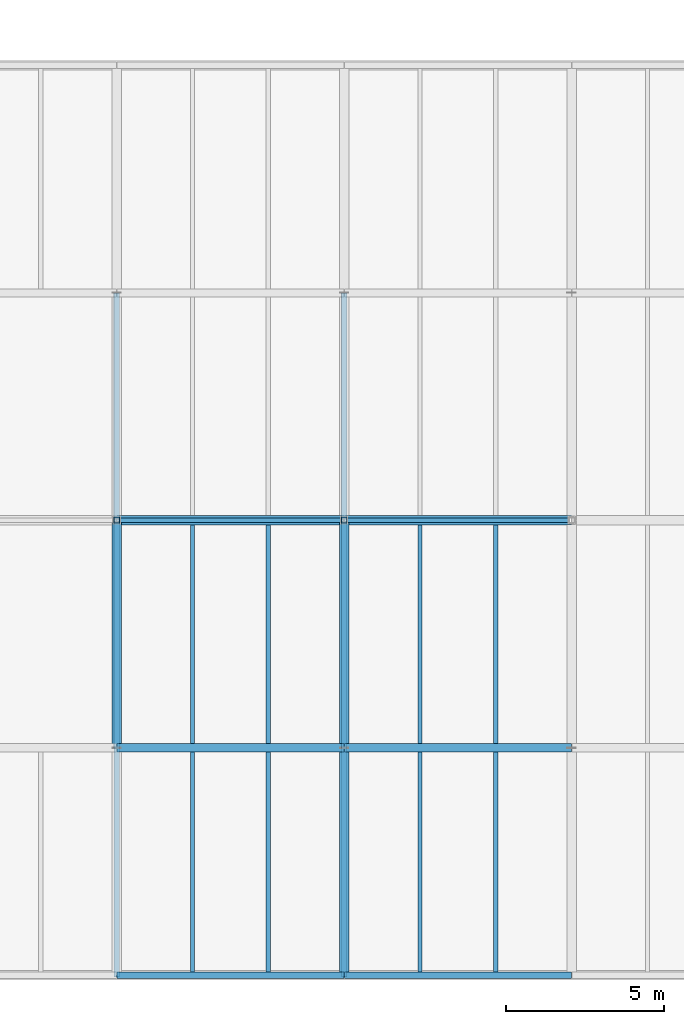
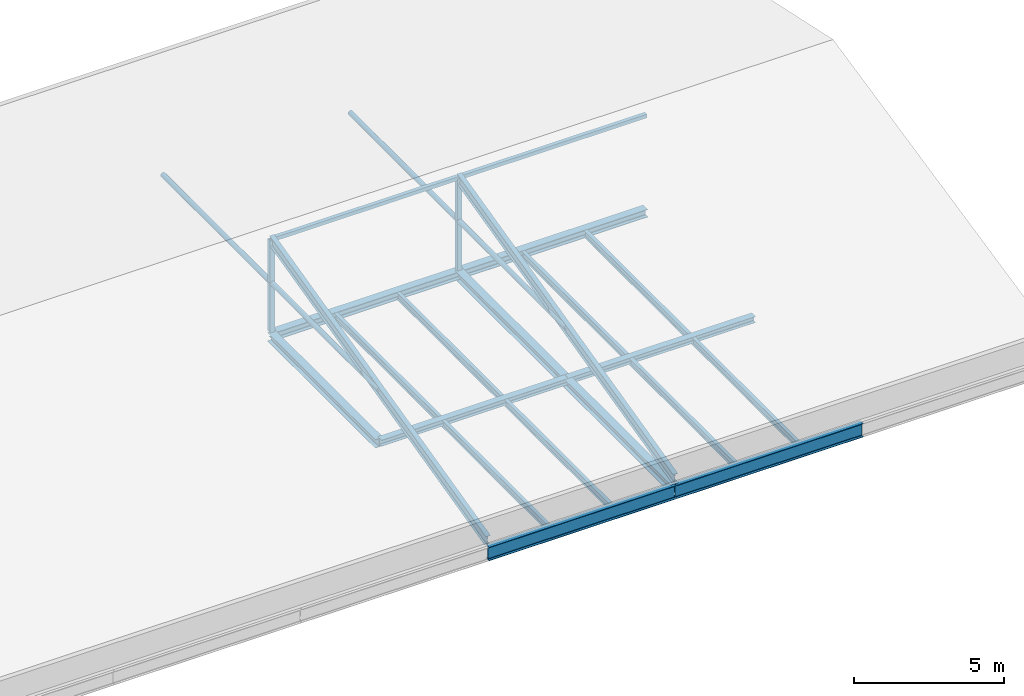
# One storey, part 18 of 66: 17 beams, 8 members.
"""IFC4 building model written with IfcOpenShell, lengths in metres."""

from ifc_helpers import new_model, si_unit, direction, frame, origin, origin_2d, place, context, subcontext, project, spatial, hollow_rectangle, hollow_circle, i_section, extrude, material, material_profile, profile_set, type_object, element, save


model = new_model("IFC4")

# Units and contexts
model_context = context("Model", 3, precision=1e-05, world=origin(), true_north=direction((0.0, 1.0)))
body_context = subcontext(model_context, "Body", "Model", "MODEL_VIEW")
ifc_project = project(units=[si_unit("LENGTHUNIT", "METRE"), si_unit("AREAUNIT", "SQUARE_METRE"), si_unit("VOLUMEUNIT", "CUBIC_METRE"), si_unit("PLANEANGLEUNIT", "RADIAN"), si_unit("MASSUNIT", "GRAM", prefix="KILO")], contexts=[model_context])

# Site, building, storey
site_placement = place(None, origin())
site = spatial("IfcSite", under=ifc_project, at=site_placement, CompositionType="ELEMENT")
building_placement = place(site_placement, origin())
building = spatial("IfcBuilding", under=site, at=building_placement, Name="Narikvali Park Central Library", CompositionType="ELEMENT")
storey_placement = place(building_placement, frame((0.0, 0.0, 18.60009765625)))
storey = spatial("IfcBuildingStorey", under=building, at=storey_placement, Name="L04", CompositionType="ELEMENT", Elevation=18.60009765625)

# Members
ifc_material = material(Name="Steel S355", Category="steel")
ifc_material_profile_1 = material_profile(ifc_material, hollow_rectangle(XDim=0.179931640625, YDim=0.179931640625, WallThickness=0.010009765625, at=origin_2d()), Name="SHS 180x180x10")
ifc_profile_set_1 = profile_set([ifc_material_profile_1], Name="Steel S355")
member_type_1 = type_object("IfcMemberType", Name="Auditorium Truss Vertical SHS180", PredefinedType="COLLAR", material=ifc_profile_set_1)
for number, where, z_axis, x_axis, name in (
    (1, (144.0, 14.39990234375, -0.239990234375), (0.0, 0.0, 1.0), (1.0, 0.0, 0.0), "V6 Roof Truss King Strut 3"),
    (2, (151.199951171875, 14.39990234375, -0.239990234375), (0.0, 0.0, 1.0), (1.0, 0.0, 0.0), "V6 Roof Truss King Strut 4"),
):
    element("IfcMember", number, at=place(storey_placement, frame(where, z_axis=z_axis, x_axis=x_axis)), inside=storey, type_object=member_type_1, Name=name, PredefinedType="COLLAR", context=body_context, shape_type="SweptSolid", body=[
        extrude(hollow_rectangle(XDim=0.179931640625, YDim=0.179931640625, WallThickness=0.010009765625, at=origin_2d()), origin(), (0.0, 0.0, 1.0), 3.739990234375),
    ])

# Beams
ifc_material_profile_2 = material_profile(ifc_material, i_section(OverallWidth=0.135009765625, OverallDepth=0.27001953125, WebThickness=0.006591796875, FlangeThickness=0.01025390625, FilletRadius=0.014892578125, at=origin_2d()), Name="IPE 270")
ifc_profile_set_2 = profile_set([ifc_material_profile_2], Name="Steel S355")
beam_type_1 = type_object("IfcBeamType", Name="Composite Floor Joist IPE270", PredefinedType="JOIST", material=ifc_profile_set_2)
for number, where, z_axis, x_axis, name in (
    (3, (146.39990234375, 0.10498046875, -0.375), (0.0, 1.0, 0.0), (-1.0, 0.0, 0.0), "V6 L04 Composite Joist 1"),
    (4, (148.800048828125, 0.10498046875, -0.375), (0.0, 1.0, 0.0), (-1.0, 0.0, 0.0), "V6 L04 Composite Joist 2"),
):
    element("IfcBeam", number, at=place(storey_placement, frame(where, z_axis=z_axis, x_axis=x_axis)), inside=storey, type_object=beam_type_1, Name=name, PredefinedType="JOIST", context=body_context, shape_type="SweptSolid", body=[
        extrude(i_section(OverallWidth=0.135009765625, OverallDepth=0.27001953125, WebThickness=0.006591796875, FlangeThickness=0.01025390625, FilletRadius=0.014892578125, at=origin_2d()), origin(), (0.0, 0.0, 1.0), 6.965087890625),
    ])
for number, where, z_axis, x_axis, name in (
    (5, (146.39990234375, 7.330078125, -0.375), (0.0, 1.0, 0.0), (-1.0, 0.0, 0.0), "V6 L04 Composite Joist 1"),
    (6, (148.800048828125, 7.330078125, -0.375), (0.0, 1.0, 0.0), (-1.0, 0.0, 0.0), "V6 L04 Composite Joist 2"),
):
    element("IfcBeam", number, at=place(storey_placement, frame(where, z_axis=z_axis, x_axis=x_axis)), inside=storey, type_object=beam_type_1, Name=name, PredefinedType="JOIST", context=body_context, shape_type="SweptSolid", body=[
        extrude(i_section(OverallWidth=0.135009765625, OverallDepth=0.27001953125, WebThickness=0.006591796875, FlangeThickness=0.01025390625, FilletRadius=0.014892578125, at=origin_2d()), origin(), (0.0, 0.0, 1.0), 6.919921875),
    ])
for number, where, z_axis, x_axis, name in (
    (7, (153.60009765625, 0.10498046875, -0.375), (0.0, 1.0, 0.0), (-1.0, 0.0, 0.0), "V6 L04 Composite Joist 1"),
    (8, (156.0, 0.10498046875, -0.375), (0.0, 1.0, 0.0), (-1.0, 0.0, 0.0), "V6 L04 Composite Joist 2"),
):
    element("IfcBeam", number, at=place(storey_placement, frame(where, z_axis=z_axis, x_axis=x_axis)), inside=storey, type_object=beam_type_1, Name=name, PredefinedType="JOIST", context=body_context, shape_type="SweptSolid", body=[
        extrude(i_section(OverallWidth=0.135009765625, OverallDepth=0.27001953125, WebThickness=0.006591796875, FlangeThickness=0.01025390625, FilletRadius=0.014892578125, at=origin_2d()), origin(), (0.0, 0.0, 1.0), 6.965087890625),
    ])
for number, where, z_axis, x_axis, name in (
    (9, (153.60009765625, 7.330078125, -0.375), (0.0, 1.0, 0.0), (-1.0, 0.0, 0.0), "V6 L04 Composite Joist 1"),
    (10, (156.0, 7.330078125, -0.375), (0.0, 1.0, 0.0), (-1.0, 0.0, 0.0), "V6 L04 Composite Joist 2"),
):
    element("IfcBeam", number, at=place(storey_placement, frame(where, z_axis=z_axis, x_axis=x_axis)), inside=storey, type_object=beam_type_1, Name=name, PredefinedType="JOIST", context=body_context, shape_type="SweptSolid", body=[
        extrude(i_section(OverallWidth=0.135009765625, OverallDepth=0.27001953125, WebThickness=0.006591796875, FlangeThickness=0.01025390625, FilletRadius=0.014892578125, at=origin_2d()), origin(), (0.0, 0.0, 1.0), 6.919921875),
    ])

# Members
ifc_material_profile_3 = material_profile(ifc_material, i_section(OverallWidth=0.179931640625, OverallDepth=0.39990234375, WebThickness=0.008544921875, FlangeThickness=0.013427734375, FilletRadius=0.02099609375, at=origin_2d()), Name="IPE 400")
ifc_profile_set_3 = profile_set([ifc_material_profile_3], Name="Steel S355")
member_type_2 = type_object("IfcMemberType", Name="Long-Span Pavilion Rafter IPE400", PredefinedType="RAFTER", material=ifc_profile_set_3)
for number, where, z_axis, x_axis, name in (
    (11, (144.0, 0.0, 0.0), (0.0, 0.971709104345, 0.236180897899), (-1.0, 0.0, 0.0), "V6 Roof Rafter S 3"),
    (12, (151.199951171875, 0.0, 0.0), (0.0, 0.971709104345, 0.236180897899), (-1.0, 0.0, 0.0), "V6 Roof Rafter S 4"),
):
    element("IfcMember", number, at=place(storey_placement, frame(where, z_axis=z_axis, x_axis=x_axis)), inside=storey, type_object=member_type_2, Name=name, PredefinedType="RAFTER", context=body_context, shape_type="SweptSolid", body=[
        extrude(i_section(OverallWidth=0.179931640625, OverallDepth=0.39990234375, WebThickness=0.008544921875, FlangeThickness=0.013427734375, FilletRadius=0.02099609375, at=origin_2d()), origin(), (0.0, 0.0, 1.0), 14.819091796875),
    ])
ifc_material_profile_4 = material_profile(ifc_material, hollow_circle(Radius=0.096923828125, WallThickness=0.010009765625, at=origin_2d()), Name="CHS 193.7x10")
ifc_profile_set_4 = profile_set([ifc_material_profile_4], Name="Steel S355")
member_type_3 = type_object("IfcMemberType", Name="Pavilion Roof Collar Tie CHS193", PredefinedType="COLLAR", material=ifc_profile_set_4)
for number, where, z_axis, x_axis, name in (
    (13, (144.0, 7.199951171875, 1.75), (0.0, 1.0, 0.0), (-1.0, 0.0, 0.0), "V6 Roof Collar Tie 3"),
    (14, (151.199951171875, 7.199951171875, 1.75), (0.0, 1.0, 0.0), (-1.0, 0.0, 0.0), "V6 Roof Collar Tie 4"),
):
    element("IfcMember", number, at=place(storey_placement, frame(where, z_axis=z_axis, x_axis=x_axis)), inside=storey, type_object=member_type_3, Name=name, PredefinedType="COLLAR", context=body_context, shape_type="SweptSolid", body=[
        extrude(hollow_circle(Radius=0.096923828125, WallThickness=0.010009765625, at=origin_2d()), origin(), (0.0, 0.0, 1.0), 14.400146484375),
    ])

# Beams
ifc_material_profile_5 = material_profile(ifc_material, i_section(OverallWidth=0.300048828125, OverallDepth=0.320068359375, WebThickness=0.011474609375, FlangeThickness=0.0205078125, FilletRadius=0.027099609375, at=origin_2d()), Name="HEB 320")
ifc_profile_set_5 = profile_set([ifc_material_profile_5], Name="Steel S355")
beam_type_2 = type_object("IfcBeamType", Name="Pavilion Roof Girder HEB320", PredefinedType="BEAM", material=ifc_profile_set_5)
beam_1_placement = place(storey_placement, frame((144.008056640625, 14.39990234375, -0.400146484375), z_axis=(1.0, 0.0, 0.0), x_axis=(0.0, 1.0, 0.0)))
element("IfcBeam", 15, at=beam_1_placement, inside=storey, type_object=beam_type_2, Name="V6 L04 Girder X", PredefinedType="BEAM", context=body_context, shape_type="SweptSolid", body=[
    extrude(i_section(OverallWidth=0.300048828125, OverallDepth=0.320068359375, WebThickness=0.011474609375, FlangeThickness=0.0205078125, FilletRadius=0.027099609375, at=origin_2d()), origin(), (0.0, 0.0, 1.0), 7.183837890625),
])
beam_2_placement = place(storey_placement, frame((151.2080078125, 14.39990234375, -0.400146484375), z_axis=(1.0, 0.0, 0.0), x_axis=(0.0, 1.0, 0.0)))
element("IfcBeam", 16, at=beam_2_placement, inside=storey, type_object=beam_type_2, Name="V6 L04 Girder X", PredefinedType="BEAM", context=body_context, shape_type="SweptSolid", body=[
    extrude(i_section(OverallWidth=0.300048828125, OverallDepth=0.320068359375, WebThickness=0.011474609375, FlangeThickness=0.0205078125, FilletRadius=0.027099609375, at=origin_2d()), origin(), (0.0, 0.0, 1.0), 7.18408203125),
])
ifc_material_profile_6 = material_profile(ifc_material, i_section(OverallWidth=0.2099609375, OverallDepth=0.550048828125, WebThickness=0.010986328125, FlangeThickness=0.01708984375, FilletRadius=0.02392578125, at=origin_2d()), Name="IPE 550")
ifc_profile_set_6 = profile_set([ifc_material_profile_6], Name="Steel S355")
beam_type_3 = type_object("IfcBeamType", Name="Perimeter Spandrel IPE550", PredefinedType="SPANDREL", material=ifc_profile_set_6)
beam_3_placement = place(storey_placement, frame((144.008056640625, 0.0, -0.51513671875), z_axis=(1.0, 0.0, 0.0), x_axis=(0.0, 1.0, 0.0)))
element("IfcBeam", 17, at=beam_3_placement, inside=storey, type_object=beam_type_3, Name="V6 L04 Girder X", PredefinedType="SPANDREL", context=body_context, shape_type="SweptSolid", body=[
    extrude(i_section(OverallWidth=0.2099609375, OverallDepth=0.550048828125, WebThickness=0.010986328125, FlangeThickness=0.01708984375, FilletRadius=0.02392578125, at=origin_2d()), origin(), (0.0, 0.0, 1.0), 7.183837890625),
])
beam_4_placement = place(storey_placement, frame((151.2080078125, 0.0, -0.51513671875), z_axis=(1.0, 0.0, 0.0), x_axis=(0.0, 1.0, 0.0)))
element("IfcBeam", 18, at=beam_4_placement, inside=storey, type_object=beam_type_3, Name="V6 L04 Girder X", PredefinedType="SPANDREL", context=body_context, shape_type="SweptSolid", body=[
    extrude(i_section(OverallWidth=0.2099609375, OverallDepth=0.550048828125, WebThickness=0.010986328125, FlangeThickness=0.01708984375, FilletRadius=0.02392578125, at=origin_2d()), origin(), (0.0, 0.0, 1.0), 7.18408203125),
])
ifc_material_profile_7 = material_profile(ifc_material, i_section(OverallWidth=0.260009765625, OverallDepth=0.25, WebThickness=0.007568359375, FlangeThickness=0.012451171875, FilletRadius=0.02392578125, at=origin_2d()), Name="HEA 260")
ifc_profile_set_7 = profile_set([ifc_material_profile_7], Name="Steel S355")
beam_type_4 = type_object("IfcBeamType", Name="Primary Girder HEA260", PredefinedType="BEAM", material=ifc_profile_set_7)
beam_5_placement = place(storey_placement, frame((144.008056640625, 7.199951171875, -0.364990234375), z_axis=(1.0, 0.0, 0.0), x_axis=(0.0, 1.0, 0.0)))
element("IfcBeam", 19, at=beam_5_placement, inside=storey, type_object=beam_type_4, Name="V6 L04 Girder X", PredefinedType="BEAM", context=body_context, shape_type="SweptSolid", body=[
    extrude(i_section(OverallWidth=0.260009765625, OverallDepth=0.25, WebThickness=0.007568359375, FlangeThickness=0.012451171875, FilletRadius=0.02392578125, at=origin_2d()), origin(), (0.0, 0.0, 1.0), 7.183837890625),
])
beam_6_placement = place(storey_placement, frame((151.2080078125, 7.199951171875, -0.364990234375), z_axis=(1.0, 0.0, 0.0), x_axis=(0.0, 1.0, 0.0)))
element("IfcBeam", 20, at=beam_6_placement, inside=storey, type_object=beam_type_4, Name="V6 L04 Girder X", PredefinedType="BEAM", context=body_context, shape_type="SweptSolid", body=[
    extrude(i_section(OverallWidth=0.260009765625, OverallDepth=0.25, WebThickness=0.007568359375, FlangeThickness=0.012451171875, FilletRadius=0.02392578125, at=origin_2d()), origin(), (0.0, 0.0, 1.0), 7.18408203125),
])
ifc_material_profile_8 = material_profile(ifc_material, i_section(OverallWidth=0.300048828125, OverallDepth=0.35009765625, WebThickness=0.010009765625, FlangeThickness=0.017578125, FilletRadius=0.027099609375, at=origin_2d()), Name="HEA 360")
ifc_profile_set_8 = profile_set([ifc_material_profile_8], Name="Steel S355")
beam_type_5 = type_object("IfcBeamType", Name="Primary Girder HEA360", PredefinedType="BEAM", material=ifc_profile_set_8)
beam_7_placement = place(storey_placement, frame((144.0, 7.2080078125, -0.4150390625), z_axis=(0.0, 1.0, 0.0), x_axis=(-1.0, 0.0, 0.0)))
element("IfcBeam", 21, at=beam_7_placement, inside=storey, type_object=beam_type_5, Name="V6 L04 Girder Y", PredefinedType="BEAM", context=body_context, shape_type="SweptSolid", body=[
    extrude(i_section(OverallWidth=0.300048828125, OverallDepth=0.35009765625, WebThickness=0.010009765625, FlangeThickness=0.017578125, FilletRadius=0.027099609375, at=origin_2d()), origin(), (0.0, 0.0, 1.0), 7.18408203125),
])
beam_8_placement = place(storey_placement, frame((151.199951171875, 0.008056640625, -0.4150390625), z_axis=(0.0, 1.0, 0.0), x_axis=(-1.0, 0.0, 0.0)))
element("IfcBeam", 22, at=beam_8_placement, inside=storey, type_object=beam_type_5, Name="V6 L04 Girder Y", PredefinedType="BEAM", context=body_context, shape_type="SweptSolid", body=[
    extrude(i_section(OverallWidth=0.300048828125, OverallDepth=0.35009765625, WebThickness=0.010009765625, FlangeThickness=0.017578125, FilletRadius=0.027099609375, at=origin_2d()), origin(), (0.0, 0.0, 1.0), 7.183837890625),
])
beam_9_placement = place(storey_placement, frame((151.199951171875, 7.2080078125, -0.4150390625), z_axis=(0.0, 1.0, 0.0), x_axis=(-1.0, 0.0, 0.0)))
element("IfcBeam", 23, at=beam_9_placement, inside=storey, type_object=beam_type_5, Name="V6 L04 Girder Y", PredefinedType="BEAM", context=body_context, shape_type="SweptSolid", body=[
    extrude(i_section(OverallWidth=0.300048828125, OverallDepth=0.35009765625, WebThickness=0.010009765625, FlangeThickness=0.017578125, FilletRadius=0.027099609375, at=origin_2d()), origin(), (0.0, 0.0, 1.0), 7.18408203125),
])

# Members
ifc_material_profile_9 = material_profile(ifc_material, hollow_rectangle(XDim=0.14990234375, YDim=0.14990234375, WallThickness=0.010009765625, at=origin_2d()), Name="SHS 150x150x10")
ifc_profile_set_9 = profile_set([ifc_material_profile_9], Name="Steel S355")
member_type_4 = type_object("IfcMemberType", Name="Roof Steel Purlin SHS150x150", PredefinedType="PURLIN", material=ifc_profile_set_9)
for number, where, z_axis, x_axis, name in (
    (24, (144.0, 14.39990234375, 3.5), (1.0, 0.0, 0.0), (0.0, 1.0, 0.0), "V6 Ridge Purlin 3"),
    (25, (151.199951171875, 14.39990234375, 3.5), (1.0, 0.0, 0.0), (0.0, 1.0, 0.0), "V6 Ridge Purlin 4"),
):
    element("IfcMember", number, at=place(storey_placement, frame(where, z_axis=z_axis, x_axis=x_axis)), inside=storey, type_object=member_type_4, Name=name, PredefinedType="PURLIN", context=body_context, shape_type="SweptSolid", body=[
        extrude(hollow_rectangle(XDim=0.14990234375, YDim=0.14990234375, WallThickness=0.010009765625, at=origin_2d()), origin(), (0.0, 0.0, 1.0), 7.199951171875),
    ])

save(model, "model.ifc")
